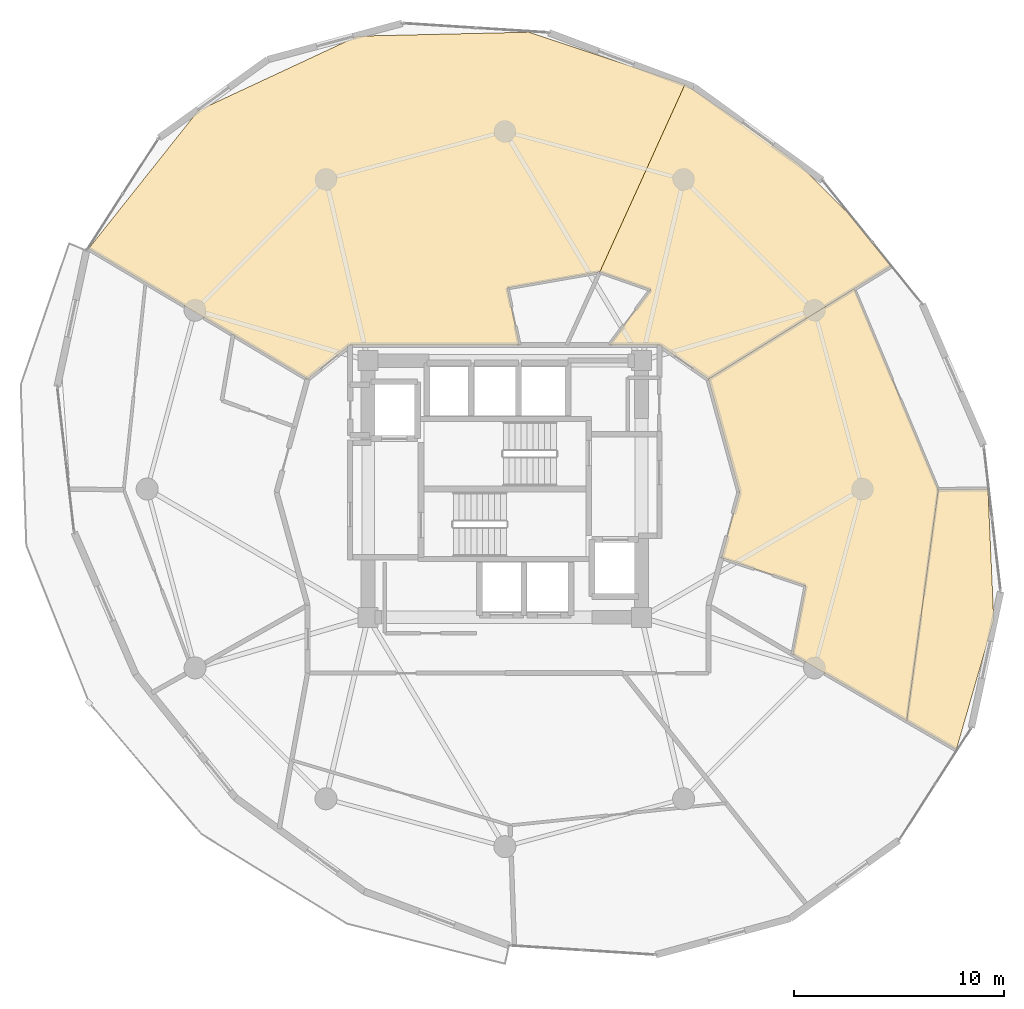
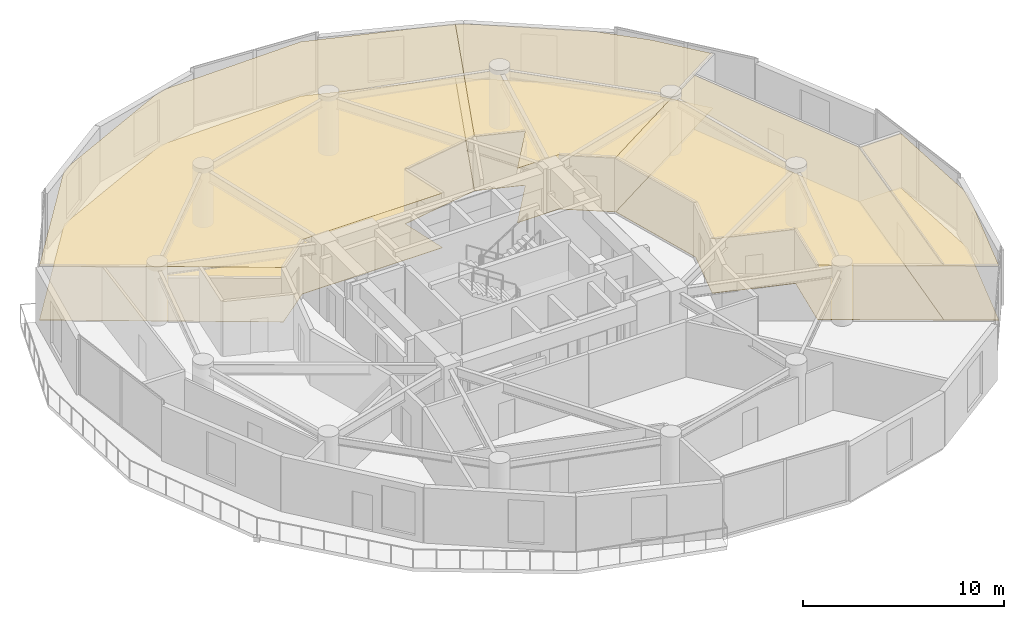
# One storey, part 21 of 21: 8 coverings.
"""IFC4 building model written with IfcOpenShell, lengths in metres."""

import ifcopenshell
import ifcopenshell.guid

model = None  # the IFC model being written
_history = None  # IfcOwnerHistory: only IFC2X3 demands one
_inside = {}  # id of a spatial element -> (the spatial element, [elements in it])
_under = {}  # id of a project, library or spatial element -> (it, [spatial elements below it])
_declared = {}  # id of a project -> (the project, [libraries it declares])
_typed = {}  # id of a type object -> (the type object, [elements of that type])
_made_of = {}  # id of a material, layer set ... -> (it, [elements and type objects made of it])


def new_model(schema):
    """Start an empty IFC model of exactly this schema.

    Asked for "IFC4X3", IfcOpenShell would pick the latest addendum, in which some entities
    have other attributes; the version numbers below select the first issue.
    IFC2X3 requires an IfcOwnerHistory on every rooted entity: one is made here for all.
    """
    global model, _history
    if schema == "IFC4X3":
        model = ifcopenshell.file(schema_version=(4, 3, 0, 0))
    else:
        model = ifcopenshell.file(schema=schema)
    _inside.clear()
    _under.clear()
    _declared.clear()
    _typed.clear()
    _made_of.clear()
    _history = None
    if model.schema == "IFC2X3":
        org = make("IfcOrganization", Name="unknown")
        user = make(
            "IfcPersonAndOrganization",
            ThePerson=make("IfcPerson", FamilyName="unknown"),
            TheOrganization=org,
        )
        app = make(
            "IfcApplication",
            ApplicationDeveloper=org,
            Version="unknown",
            ApplicationFullName="unknown",
            ApplicationIdentifier="unknown",
        )
        _history = make(
            "IfcOwnerHistory",
            OwningUser=user,
            OwningApplication=app,
            ChangeAction="ADDED",
            CreationDate=0,
        )
    return model


def make(cls, **values):
    """One entity of the class cls with the attributes given. An attribute that is None is left unset."""
    return model.create_entity(
        cls, **{name: value for name, value in values.items() if value is not None}
    )


def rooted(cls, **values):
    """An entity with a GlobalId (a new one), such as an element, a storey or a relation."""
    return make(cls, GlobalId=ifcopenshell.guid.new(), OwnerHistory=_history, **values)


def si_unit(unit_type, name, prefix=None):
    """IfcSIUnit, for example si_unit("LENGTHUNIT", "METRE", prefix="MILLI")."""
    return make("IfcSIUnit", UnitType=unit_type, Prefix=prefix, Name=name)


def assignment(units):
    """IfcUnitAssignment: the units of a project."""
    return None if units is None else make("IfcUnitAssignment", Units=units)


def point(xyz):
    """IfcCartesianPoint."""
    return None if xyz is None else make("IfcCartesianPoint", Coordinates=xyz)


def direction(xyz):
    """IfcDirection."""
    return None if xyz is None else make("IfcDirection", DirectionRatios=xyz)


def frame(location, z_axis=None, x_axis=None):
    """IfcAxis2Placement3D, a coordinate frame: its origin and axes. An axis left out is left unset."""
    return make(
        "IfcAxis2Placement3D",
        Location=point(location),
        Axis=direction(z_axis),
        RefDirection=direction(x_axis),
    )


def origin():
    """The frame at (0, 0, 0) with its axes left unset."""
    return frame((0.0, 0.0, 0.0))


def place(relative_to, where):
    """IfcLocalPlacement: puts the frame where relative to a parent placement (None: the world)."""
    return make(
        "IfcLocalPlacement", PlacementRelTo=relative_to, RelativePlacement=where
    )


def context(
    kind, dimensions, precision=None, world=None, true_north=None, identifier=None
):
    """IfcGeometricRepresentationContext, for example the 3D "Model" context."""
    return make(
        "IfcGeometricRepresentationContext",
        ContextIdentifier=identifier,
        ContextType=kind,
        CoordinateSpaceDimension=dimensions,
        Precision=precision,
        WorldCoordinateSystem=world,
        TrueNorth=true_north,
    )


def subcontext(parent, identifier, kind, view, scale=None):
    """IfcGeometricRepresentationSubContext, for example "Body" below "Model"."""
    return make(
        "IfcGeometricRepresentationSubContext",
        ContextIdentifier=identifier,
        ContextType=kind,
        ParentContext=parent,
        TargetScale=scale,
        TargetView=view,
    )


def project(units=None, contexts=None):
    """IfcProject with its units and contexts."""
    return rooted(
        "IfcProject",
        Name="project",
        RepresentationContexts=contexts,
        UnitsInContext=assignment(units),
    )


def spatial(cls, under=None, at=None, **own):
    """A site, building, storey or space (cls), placed at a placement, below another one or the project."""
    s = rooted(cls, ObjectPlacement=at, **own)
    if under is not None:
        _under.setdefault(under.id(), (under, []))[1].append(s)
    return s


def polyline(points):
    """IfcPolyline through the points."""
    return make("IfcPolyline", Points=[point(p) for p in points])


def outline(outer, holes=None, kind="AREA"):
    """IfcArbitraryClosedProfileDef: a profile drawn as a closed curve; with holes, ...WithVoids."""
    if holes is None:
        return make("IfcArbitraryClosedProfileDef", ProfileType=kind, OuterCurve=outer)
    return make(
        "IfcArbitraryProfileDefWithVoids",
        ProfileType=kind,
        OuterCurve=outer,
        InnerCurves=holes,
    )


def extrude(swept, where, along, depth):
    """IfcExtrudedAreaSolid: the profile swept, set in the frame where, extruded along a direction by depth."""
    return make(
        "IfcExtrudedAreaSolid",
        SweptArea=swept,
        Position=where,
        ExtrudedDirection=direction(along),
        Depth=depth,
    )


def shape(context_of_items, identifier, shape_type, items):
    """IfcShapeRepresentation: the items that make up one representation, for example the "Body"."""
    return make(
        "IfcShapeRepresentation",
        ContextOfItems=context_of_items,
        RepresentationIdentifier=identifier,
        RepresentationType=shape_type,
        Items=items,
    )


def material(Name=None, Category=None):
    """IfcMaterial."""
    return make("IfcMaterial", Name=Name, Category=Category)


def layer(
    of_material, thickness, ventilated=None, Name=None, Category=None, Priority=None
):
    """IfcMaterialLayer: one layer of a wall or slab, of a material (None: an air gap)."""
    return make(
        "IfcMaterialLayer",
        Material=of_material,
        LayerThickness=thickness,
        IsVentilated=ventilated,
        Name=Name,
        Category=Category,
        Priority=Priority,
    )


def layer_set(layers, Name=None):
    """IfcMaterialLayerSet."""
    return make("IfcMaterialLayerSet", MaterialLayers=layers, LayerSetName=Name)


def made_of(thing, what):
    """Note that an element or type object is made of a material, layer set ...; save() writes the relation."""
    if what is not None:
        _made_of.setdefault(what.id(), (what, []))[1].append(thing)
    return thing


def type_object(cls, material=None, **own):
    """A type object (cls), such as IfcWallType, which elements share."""
    return made_of(rooted(cls, **own), material)


def element(
    cls,
    number,
    at=None,
    inside=None,
    cuts=None,
    type_object=None,
    material=None,
    context=None,
    identifier="Body",
    shape_type=None,
    held_by="IfcProductDefinitionShape",
    body=None,
    shapes=None,
    **own,
):
    """One element of the class cls, such as IfcWall. Its Tag is "e" and its number.

    at: its placement. inside: the storey or other place that contains it. cuts: it is an
    opening in that element (IfcRelVoidsElement). A single representation is given by context,
    identifier, shape_type and body (its items); several are given by shapes. held_by: the class
    of the entity that holds the representations. save() writes the other relations.
    """
    e = rooted(cls, Tag="e%d" % number, ObjectPlacement=at, **own)
    if body is not None:
        shapes = [shape(context, identifier, shape_type, body)]
    if shapes is not None:
        e.Representation = make(held_by, Representations=shapes)
    if inside is not None:
        _inside.setdefault(inside.id(), (inside, []))[1].append(e)
    if cuts is not None:
        rooted(
            "IfcRelVoidsElement", RelatingBuildingElement=cuts, RelatedOpeningElement=e
        )
    if type_object is not None:
        _typed.setdefault(type_object.id(), (type_object, []))[1].append(e)
    return made_of(e, material)


def aggregate(whole, parts):
    """IfcRelAggregates: a whole, such as a stair, and the parts it consists of."""
    return rooted("IfcRelAggregates", RelatingObject=whole, RelatedObjects=parts)


def save(model, path):
    """Write the relations noted so far, then the file.

    IfcRelAggregates (storeys below a building ...), IfcRelContainedInSpatialStructure (elements
    in a storey), IfcRelDefinesByType, IfcRelAssociatesMaterial and IfcRelDeclares: one each for
    every whole, place, type object, material and project.
    """
    for whole, parts in _under.values():
        aggregate(whole, parts)
    for where, things in _inside.values():
        rooted(
            "IfcRelContainedInSpatialStructure",
            RelatedElements=things,
            RelatingStructure=where,
        )
    for kind, things in _typed.values():
        rooted("IfcRelDefinesByType", RelatedObjects=things, RelatingType=kind)
    for what, things in _made_of.values():
        rooted("IfcRelAssociatesMaterial", RelatedObjects=things, RelatingMaterial=what)
    for by, libraries in _declared.values():
        rooted("IfcRelDeclares", RelatingContext=by, RelatedDefinitions=libraries)
    model.write(path)


model = new_model("IFC4")

# Units and contexts
model_context = context("Model", 3, precision=1e-05, world=origin(), true_north=direction((0.0, 1.0)))
body_context = subcontext(model_context, "Body", "Model", "MODEL_VIEW")
ifc_project = project(units=[si_unit("LENGTHUNIT", "METRE"), si_unit("AREAUNIT", "SQUARE_METRE"), si_unit("VOLUMEUNIT", "CUBIC_METRE"), si_unit("PLANEANGLEUNIT", "RADIAN"), si_unit("MASSUNIT", "GRAM", prefix="KILO")], contexts=[model_context])

# Site, building, storey
site_placement = place(None, origin())
site = spatial("IfcSite", under=ifc_project, at=site_placement, CompositionType="ELEMENT")
building_placement = place(site_placement, origin())
building = spatial("IfcBuilding", under=site, at=building_placement, Name="Solvirekh Grand Hotel", CompositionType="ELEMENT")
storey_placement = place(building_placement, frame((0.0, 0.0, 142.199951171875)))
storey = spatial("IfcBuildingStorey", under=building, at=storey_placement, Name="L36", CompositionType="ELEMENT", Elevation=142.199951171875)

# Coverings
ifc_material_1 = material(Name="Acoustic Mineral Ceiling Tile")
ifc_layer_1 = layer(ifc_material_1, 0.02490234375)
ifc_layer_set_1 = layer_set([ifc_layer_1], Name="Acoustic Mineral Ceiling Tile")
covering_type_1 = type_object("IfcCoveringType", Name="Cov_Ceiling_Acoustic", PredefinedType="CEILING", material=ifc_layer_set_1)
covering_1_placement = place(storey_placement, frame((0.0, 0.0, 3.300048828125)))
element("IfcCovering", 1, at=covering_1_placement, inside=storey, type_object=covering_type_1, Name="L36 Deluxe Guestroom 3801 acoustic ceiling", PredefinedType="CEILING", context=body_context, shape_type="SweptSolid", body=[
    extrude(outline(polyline([(2.93994140625, 6.85009765625), (4.514892578125, 10.318115234375), (6.93505859375, 9.470947265625), (4.968994140625, 6.85009765625), (7.35009765625, 6.85009765625), (9.676025390625, 5.22509765625), (18.34912109375, 10.593994140625), (16.264892578125, 13.1708984375), (13.93505859375, 15.47607421875), (11.294921875, 17.39306640625), (8.56494140625, 19.237060546875), (2.93994140625, 6.85009765625)])), origin(), (0.0, 0.0, 1.0), 0.01806640625),
])
covering_2_placement = place(storey_placement, frame((0.0, 0.0, 3.300048828125)))
element("IfcCovering", 2, at=covering_2_placement, inside=storey, type_object=covering_type_1, Name="L36 Panorama Suite 3802 acoustic ceiling", PredefinedType="CEILING", context=body_context, shape_type="SweptSolid", body=[
    extrude(outline(polyline([(0.68994140625, 6.85009765625), (0.116943359375, 9.552978515625), (4.514892578125, 10.318115234375), (8.56494140625, 19.237060546875), (1.137939453125, 21.716064453125), (-6.9951171875, 21.529052734375), (-14.570068359375, 17.991943359375), (-19.784912109375, 11.423095703125), (-9.3759765625, 5.22509765625), (-7.35009765625, 6.85009765625), (0.68994140625, 6.85009765625)])), origin(), (0.0, 0.0, 1.0), 0.01806640625),
])
covering_3_placement = place(storey_placement, frame((0.0, 0.0, 3.300048828125)))
element("IfcCovering", 3, at=covering_3_placement, inside=storey, type_object=covering_type_1, Name="L36 Executive Suite 3804 Living Room acoustic ceiling", PredefinedType="CEILING", context=body_context, shape_type="SweptSolid", body=[
    extrude(outline(polyline([(14.305908203125, -4.60009765625), (13.68310546875, -7.85888671875), (19.10400390625, -11.01806640625), (20.60302734375, -0.030029296875), (16.614013671875, 9.52001953125), (9.676025390625, 5.22509765625), (11.14990234375, -0.14990234375), (10.294921875, -3.26806640625), (14.305908203125, -4.60009765625)])), origin(), (0.0, 0.0, 1.0), 0.01806640625),
])
covering_4_placement = place(storey_placement, frame((0.0, 0.0, 3.300048828125)))
element("IfcCovering", 4, at=covering_4_placement, inside=storey, type_object=covering_type_1, Name="L36 Executive Suite 3804 Master Bedroom acoustic ceiling", PredefinedType="CEILING", context=body_context, shape_type="SweptSolid", body=[
    extrude(outline(polyline([(21.4609375, -12.39111328125), (23.240966796875, -6.22802734375), (22.966064453125, 0.0), (20.60302734375, -0.030029296875), (19.10400390625, -11.01806640625), (21.4609375, -12.39111328125)])), origin(), (0.0, 0.0, 1.0), 0.01806640625),
])
ifc_material_2 = material(Name="Porcelain Stoneware Flooring", Category="masonry")
ifc_layer_2 = layer(ifc_material_2, 0.030029296875)
ifc_layer_set_2 = layer_set([ifc_layer_2], Name="Porcelain Stoneware Flooring")
covering_type_2 = type_object("IfcCoveringType", Name="Cov_Floor_Stone", PredefinedType="FLOORING", material=ifc_layer_set_2)
covering_5_placement = place(storey_placement, origin())
element("IfcCovering", 5, at=covering_5_placement, inside=storey, type_object=covering_type_2, Name="L36 Deluxe Guestroom 3801 polished granite flooring", PredefinedType="FLOORING", context=body_context, shape_type="SweptSolid", body=[
    extrude(outline(polyline([(2.93994140625, 6.85009765625), (4.514892578125, 10.318115234375), (6.93505859375, 9.470947265625), (4.968994140625, 6.85009765625), (7.35009765625, 6.85009765625), (9.676025390625, 5.22509765625), (18.34912109375, 10.593994140625), (16.264892578125, 13.1708984375), (13.93505859375, 15.47607421875), (11.294921875, 17.39306640625), (8.56494140625, 19.237060546875), (2.93994140625, 6.85009765625)])), origin(), (0.0, 0.0, 1.0), 0.02001953125),
])
covering_6_placement = place(storey_placement, origin())
element("IfcCovering", 6, at=covering_6_placement, inside=storey, type_object=covering_type_2, Name="L36 Panorama Suite 3802 polished granite flooring", PredefinedType="FLOORING", context=body_context, shape_type="SweptSolid", body=[
    extrude(outline(polyline([(0.68994140625, 6.85009765625), (0.116943359375, 9.552978515625), (4.514892578125, 10.318115234375), (8.56494140625, 19.237060546875), (1.137939453125, 21.716064453125), (-6.9951171875, 21.529052734375), (-14.570068359375, 17.991943359375), (-19.784912109375, 11.423095703125), (-9.3759765625, 5.22509765625), (-7.35009765625, 6.85009765625), (0.68994140625, 6.85009765625)])), origin(), (0.0, 0.0, 1.0), 0.02001953125),
])
covering_7_placement = place(storey_placement, origin())
element("IfcCovering", 7, at=covering_7_placement, inside=storey, type_object=covering_type_2, Name="L36 Executive Suite 3804 Living Room polished granite flooring", PredefinedType="FLOORING", context=body_context, shape_type="SweptSolid", body=[
    extrude(outline(polyline([(14.305908203125, -4.60009765625), (13.68310546875, -7.85888671875), (19.10400390625, -11.01806640625), (20.60302734375, -0.030029296875), (16.614013671875, 9.52001953125), (9.676025390625, 5.22509765625), (11.14990234375, -0.14990234375), (10.294921875, -3.26806640625), (14.305908203125, -4.60009765625)])), origin(), (0.0, 0.0, 1.0), 0.02001953125),
])
covering_8_placement = place(storey_placement, origin())
element("IfcCovering", 8, at=covering_8_placement, inside=storey, type_object=covering_type_2, Name="L36 Executive Suite 3804 Master Bedroom polished granite flooring", PredefinedType="FLOORING", context=body_context, shape_type="SweptSolid", body=[
    extrude(outline(polyline([(21.4609375, -12.39111328125), (23.240966796875, -6.22802734375), (22.966064453125, 0.0), (20.60302734375, -0.030029296875), (19.10400390625, -11.01806640625), (21.4609375, -12.39111328125)])), origin(), (0.0, 0.0, 1.0), 0.02001953125),
])

save(model, "model.ifc")
